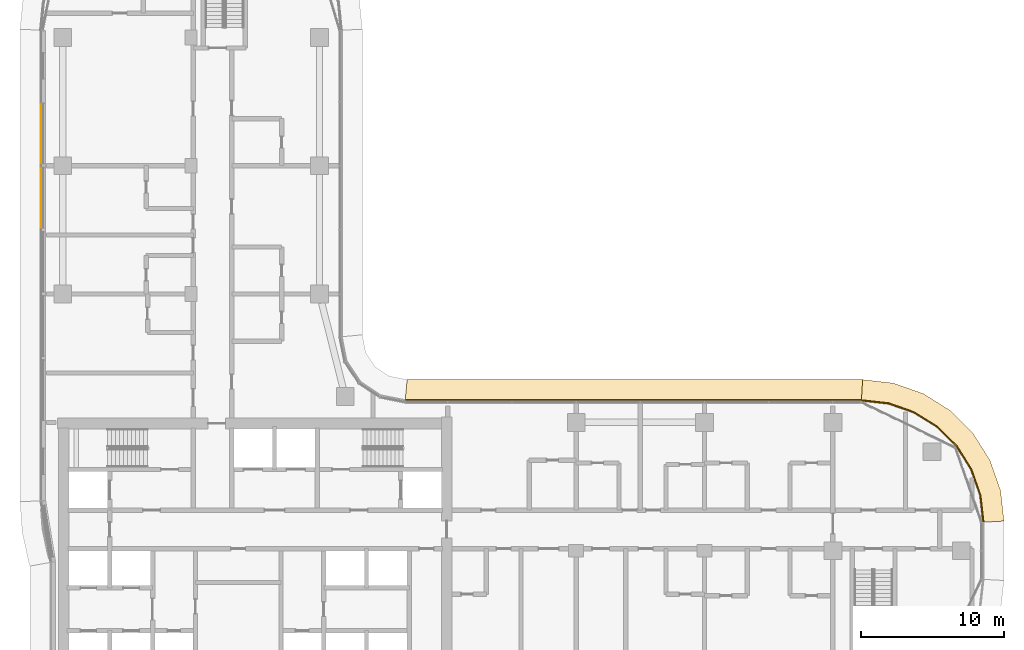
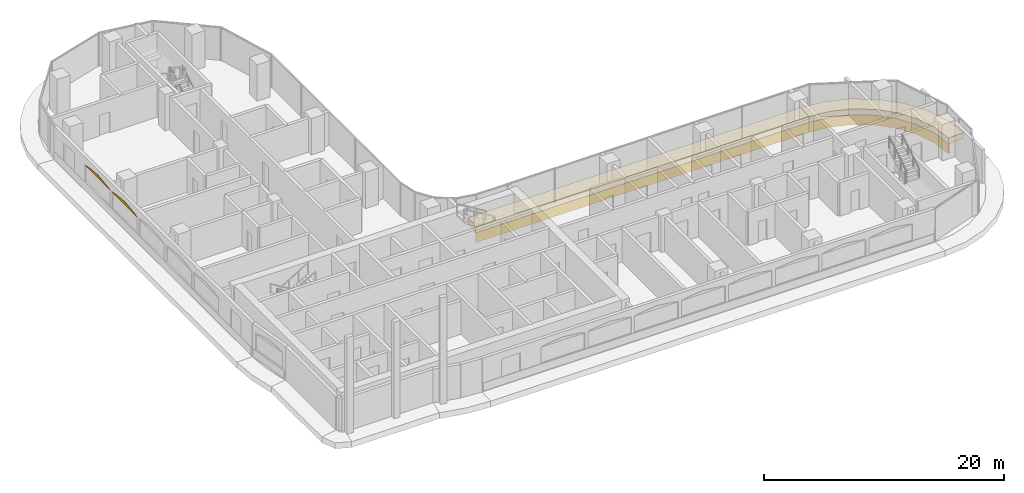
# One storey, part 23 of 25: 6 coverings.
"""IFC4 building model written with IfcOpenShell, lengths in metres."""

import ifcopenshell
import ifcopenshell.guid

model = None  # the IFC model being written
_history = None  # IfcOwnerHistory: only IFC2X3 demands one
_inside = {}  # id of a spatial element -> (the spatial element, [elements in it])
_under = {}  # id of a project, library or spatial element -> (it, [spatial elements below it])
_declared = {}  # id of a project -> (the project, [libraries it declares])
_typed = {}  # id of a type object -> (the type object, [elements of that type])
_made_of = {}  # id of a material, layer set ... -> (it, [elements and type objects made of it])


def new_model(schema):
    """Start an empty IFC model of exactly this schema.

    Asked for "IFC4X3", IfcOpenShell would pick the latest addendum, in which some entities
    have other attributes; the version numbers below select the first issue.
    IFC2X3 requires an IfcOwnerHistory on every rooted entity: one is made here for all.
    """
    global model, _history
    if schema == "IFC4X3":
        model = ifcopenshell.file(schema_version=(4, 3, 0, 0))
    else:
        model = ifcopenshell.file(schema=schema)
    _inside.clear()
    _under.clear()
    _declared.clear()
    _typed.clear()
    _made_of.clear()
    _history = None
    if model.schema == "IFC2X3":
        org = make("IfcOrganization", Name="unknown")
        user = make(
            "IfcPersonAndOrganization",
            ThePerson=make("IfcPerson", FamilyName="unknown"),
            TheOrganization=org,
        )
        app = make(
            "IfcApplication",
            ApplicationDeveloper=org,
            Version="unknown",
            ApplicationFullName="unknown",
            ApplicationIdentifier="unknown",
        )
        _history = make(
            "IfcOwnerHistory",
            OwningUser=user,
            OwningApplication=app,
            ChangeAction="ADDED",
            CreationDate=0,
        )
    return model


def make(cls, **values):
    """One entity of the class cls with the attributes given. An attribute that is None is left unset."""
    return model.create_entity(
        cls, **{name: value for name, value in values.items() if value is not None}
    )


def rooted(cls, **values):
    """An entity with a GlobalId (a new one), such as an element, a storey or a relation."""
    return make(cls, GlobalId=ifcopenshell.guid.new(), OwnerHistory=_history, **values)


def si_unit(unit_type, name, prefix=None):
    """IfcSIUnit, for example si_unit("LENGTHUNIT", "METRE", prefix="MILLI")."""
    return make("IfcSIUnit", UnitType=unit_type, Prefix=prefix, Name=name)


def assignment(units):
    """IfcUnitAssignment: the units of a project."""
    return None if units is None else make("IfcUnitAssignment", Units=units)


def point(xyz):
    """IfcCartesianPoint."""
    return None if xyz is None else make("IfcCartesianPoint", Coordinates=xyz)


def direction(xyz):
    """IfcDirection."""
    return None if xyz is None else make("IfcDirection", DirectionRatios=xyz)


def frame(location, z_axis=None, x_axis=None):
    """IfcAxis2Placement3D, a coordinate frame: its origin and axes. An axis left out is left unset."""
    return make(
        "IfcAxis2Placement3D",
        Location=point(location),
        Axis=direction(z_axis),
        RefDirection=direction(x_axis),
    )


def origin():
    """The frame at (0, 0, 0) with its axes left unset."""
    return frame((0.0, 0.0, 0.0))


def place(relative_to, where):
    """IfcLocalPlacement: puts the frame where relative to a parent placement (None: the world)."""
    return make(
        "IfcLocalPlacement", PlacementRelTo=relative_to, RelativePlacement=where
    )


def context(
    kind, dimensions, precision=None, world=None, true_north=None, identifier=None
):
    """IfcGeometricRepresentationContext, for example the 3D "Model" context."""
    return make(
        "IfcGeometricRepresentationContext",
        ContextIdentifier=identifier,
        ContextType=kind,
        CoordinateSpaceDimension=dimensions,
        Precision=precision,
        WorldCoordinateSystem=world,
        TrueNorth=true_north,
    )


def subcontext(parent, identifier, kind, view, scale=None):
    """IfcGeometricRepresentationSubContext, for example "Body" below "Model"."""
    return make(
        "IfcGeometricRepresentationSubContext",
        ContextIdentifier=identifier,
        ContextType=kind,
        ParentContext=parent,
        TargetScale=scale,
        TargetView=view,
    )


def project(units=None, contexts=None):
    """IfcProject with its units and contexts."""
    return rooted(
        "IfcProject",
        Name="project",
        RepresentationContexts=contexts,
        UnitsInContext=assignment(units),
    )


def spatial(cls, under=None, at=None, **own):
    """A site, building, storey or space (cls), placed at a placement, below another one or the project."""
    s = rooted(cls, ObjectPlacement=at, **own)
    if under is not None:
        _under.setdefault(under.id(), (under, []))[1].append(s)
    return s


def polyline(points):
    """IfcPolyline through the points."""
    return make("IfcPolyline", Points=[point(p) for p in points])


def outline(outer, holes=None, kind="AREA"):
    """IfcArbitraryClosedProfileDef: a profile drawn as a closed curve; with holes, ...WithVoids."""
    if holes is None:
        return make("IfcArbitraryClosedProfileDef", ProfileType=kind, OuterCurve=outer)
    return make(
        "IfcArbitraryProfileDefWithVoids",
        ProfileType=kind,
        OuterCurve=outer,
        InnerCurves=holes,
    )


def extrude(swept, where, along, depth):
    """IfcExtrudedAreaSolid: the profile swept, set in the frame where, extruded along a direction by depth."""
    return make(
        "IfcExtrudedAreaSolid",
        SweptArea=swept,
        Position=where,
        ExtrudedDirection=direction(along),
        Depth=depth,
    )


def shape(context_of_items, identifier, shape_type, items):
    """IfcShapeRepresentation: the items that make up one representation, for example the "Body"."""
    return make(
        "IfcShapeRepresentation",
        ContextOfItems=context_of_items,
        RepresentationIdentifier=identifier,
        RepresentationType=shape_type,
        Items=items,
    )


def material(Name=None, Category=None):
    """IfcMaterial."""
    return make("IfcMaterial", Name=Name, Category=Category)


def layer(
    of_material, thickness, ventilated=None, Name=None, Category=None, Priority=None
):
    """IfcMaterialLayer: one layer of a wall or slab, of a material (None: an air gap)."""
    return make(
        "IfcMaterialLayer",
        Material=of_material,
        LayerThickness=thickness,
        IsVentilated=ventilated,
        Name=Name,
        Category=Category,
        Priority=Priority,
    )


def layer_set(layers, Name=None):
    """IfcMaterialLayerSet."""
    return make("IfcMaterialLayerSet", MaterialLayers=layers, LayerSetName=Name)


def made_of(thing, what):
    """Note that an element or type object is made of a material, layer set ...; save() writes the relation."""
    if what is not None:
        _made_of.setdefault(what.id(), (what, []))[1].append(thing)
    return thing


def type_object(cls, material=None, **own):
    """A type object (cls), such as IfcWallType, which elements share."""
    return made_of(rooted(cls, **own), material)


def element(
    cls,
    number,
    at=None,
    inside=None,
    cuts=None,
    type_object=None,
    material=None,
    context=None,
    identifier="Body",
    shape_type=None,
    held_by="IfcProductDefinitionShape",
    body=None,
    shapes=None,
    **own,
):
    """One element of the class cls, such as IfcWall. Its Tag is "e" and its number.

    at: its placement. inside: the storey or other place that contains it. cuts: it is an
    opening in that element (IfcRelVoidsElement). A single representation is given by context,
    identifier, shape_type and body (its items); several are given by shapes. held_by: the class
    of the entity that holds the representations. save() writes the other relations.
    """
    e = rooted(cls, Tag="e%d" % number, ObjectPlacement=at, **own)
    if body is not None:
        shapes = [shape(context, identifier, shape_type, body)]
    if shapes is not None:
        e.Representation = make(held_by, Representations=shapes)
    if inside is not None:
        _inside.setdefault(inside.id(), (inside, []))[1].append(e)
    if cuts is not None:
        rooted(
            "IfcRelVoidsElement", RelatingBuildingElement=cuts, RelatedOpeningElement=e
        )
    if type_object is not None:
        _typed.setdefault(type_object.id(), (type_object, []))[1].append(e)
    return made_of(e, material)


def aggregate(whole, parts):
    """IfcRelAggregates: a whole, such as a stair, and the parts it consists of."""
    return rooted("IfcRelAggregates", RelatingObject=whole, RelatedObjects=parts)


def save(model, path):
    """Write the relations noted so far, then the file.

    IfcRelAggregates (storeys below a building ...), IfcRelContainedInSpatialStructure (elements
    in a storey), IfcRelDefinesByType, IfcRelAssociatesMaterial and IfcRelDeclares: one each for
    every whole, place, type object, material and project.
    """
    for whole, parts in _under.values():
        aggregate(whole, parts)
    for where, things in _inside.values():
        rooted(
            "IfcRelContainedInSpatialStructure",
            RelatedElements=things,
            RelatingStructure=where,
        )
    for kind, things in _typed.values():
        rooted("IfcRelDefinesByType", RelatedObjects=things, RelatingType=kind)
    for what, things in _made_of.values():
        rooted("IfcRelAssociatesMaterial", RelatedObjects=things, RelatingMaterial=what)
    for by, libraries in _declared.values():
        rooted("IfcRelDeclares", RelatingContext=by, RelatedDefinitions=libraries)
    model.write(path)


model = new_model("IFC4")

# Units and contexts
model_context = context("Model", 3, precision=1e-05, world=origin(), true_north=direction((0.0, 1.0)))
body_context = subcontext(model_context, "Body", "Model", "MODEL_VIEW")
ifc_project = project(units=[si_unit("LENGTHUNIT", "METRE"), si_unit("AREAUNIT", "SQUARE_METRE"), si_unit("VOLUMEUNIT", "CUBIC_METRE"), si_unit("PLANEANGLEUNIT", "RADIAN"), si_unit("MASSUNIT", "GRAM", prefix="KILO")], contexts=[model_context])

# Site, building, storey
site_placement = place(None, origin())
site = spatial("IfcSite", under=ifc_project, at=site_placement, CompositionType="ELEMENT")
building_placement = place(site_placement, origin())
building = spatial("IfcBuilding", under=site, at=building_placement, Name="Ogive Portal Towers", CompositionType="ELEMENT")
storey_placement = place(building_placement, frame((0.0, 0.0, 105.60009765625)))
storey = spatial("IfcBuildingStorey", under=building, at=storey_placement, Name="L25", CompositionType="ELEMENT", Elevation=105.60009765625)

# Coverings
ifc_material = material(Name="Limestone cladding on lightweight block wall", Category="masonry")
ifc_layer_1 = layer(ifc_material, 0.0400390625)
ifc_layer_set_1 = layer_set([ifc_layer_1], Name="LANCET HEAD STONE")
covering_type_1 = type_object("IfcCoveringType", Name="LANCET HEAD STONE", PredefinedType="CLADDING", material=ifc_layer_set_1)
for number, where, z_axis, x_axis, name in (
    (1, (30.0, 61.85009765625, 2.599853515625), (0.999948962386, 0.0, 0.010103099685), (0.0, -1.0, 0.0), "Lancet head"),
    (2, (30.0, 57.35009765625, 2.599853515625), (0.999948962386, 0.0, 0.010103099685), (0.0, -1.0, 0.0), "Lancet head"),
):
    element("IfcCovering", number, at=place(storey_placement, frame(where, z_axis=z_axis, x_axis=x_axis)), inside=storey, type_object=covering_type_1, Name=name, PredefinedType="CLADDING", context=body_context, shape_type="SweptSolid", body=[
        extrude(outline(polyline([(0.0, 0.0), (4.2001953125, 0.0), (4.107177734375, -0.03760067050947447), (3.9375, -0.07495474627723249), (3.7177734375, -0.11255541678670695), (3.45751953125, -0.15015362071910998), (3.162353515625, -0.18751016306393944), (2.836181640625, -0.22510836699634246), (2.481201171875, -0.2624649093411719), (2.10009765625, -0.30006311327357493), (1.718994140625, -0.2624649093411719), (1.364013671875, -0.22510836699634246), (1.037841796875, -0.18751016306393944), (0.74267578125, -0.15015362071910998), (0.482421875, -0.11255541678670695), (0.2626953125, -0.07495474627723249), (0.093017578125, -0.03760067050947447), (0.0, 0.0)])), origin(), (0.0, 0.0, -1.0), 0.0400390625),
    ])
ifc_layer_2 = layer(ifc_material, 0.080078125)
ifc_layer_set_2 = layer_set([ifc_layer_2], Name="STONE SPANDREL 80")
covering_type_2 = type_object("IfcCoveringType", Name="STONE SPANDREL 80", PredefinedType="CLADDING", material=ifc_layer_set_2)
covering_1_placement = place(storey_placement, frame((0.0, 0.0, -1.60009765625)))
element("IfcCovering", 3, at=covering_1_placement, inside=storey, type_object=covering_type_2, Name="Stone spandrel A1-F08", PredefinedType="CLADDING", context=body_context, shape_type="SweptSolid", body=[
    extrude(outline(polyline([(96.0, 32.5), (95.786865234375, 34.391357421875), (95.158203125, 36.18798828125), (94.1455078125, 37.799560546875), (92.799560546875, 39.1455078125), (91.18798828125, 40.158203125), (89.391357421875, 40.786865234375), (87.5, 41.0), (87.50439453125, 41.080078125), (89.409423828125, 40.865478515625), (91.222900390625, 40.230712890625), (92.849853515625, 39.20849609375), (94.20849609375, 37.849853515625), (95.230712890625, 36.222900390625), (95.865478515625, 34.409423828125), (96.080078125, 32.50439453125), (96.0, 32.5)])), origin(), (0.0, 0.0, 1.0), 1.0),
])
covering_2_placement = place(storey_placement, frame((0.0, 0.0, -1.60009765625)))
element("IfcCovering", 4, at=covering_2_placement, inside=storey, type_object=covering_type_2, Name="Stone spandrel A1-F09", PredefinedType="CLADDING", context=body_context, shape_type="SweptSolid", body=[
    extrude(outline(polyline([(87.5, 41.0), (55.5, 41.0), (55.5078125, 41.080078125), (87.50439453125, 41.080078125), (87.5, 41.0)])), origin(), (0.0, 0.0, 1.0), 1.0),
])
ifc_layer_3 = layer(ifc_material, 0.60009765625)
ifc_layer_set_3 = layer_set([ifc_layer_3], Name="SUNSHADE LIP 600")
covering_type_3 = type_object("IfcCoveringType", Name="SUNSHADE LIP 600", PredefinedType="CLADDING", material=ifc_layer_set_3)
covering_3_placement = place(storey_placement, frame((0.0, 0.0, -0.60009765625)))
element("IfcCovering", 5, at=covering_3_placement, inside=storey, type_object=covering_type_3, Name="Sunshade lip A1-F08", PredefinedType="CLADDING", context=body_context, shape_type="SweptSolid", body=[
    extrude(outline(polyline([(96.0, 32.5), (95.786865234375, 34.391357421875), (95.158203125, 36.18798828125), (94.1455078125, 37.799560546875), (92.799560546875, 39.1455078125), (91.18798828125, 40.158203125), (89.391357421875, 40.786865234375), (87.5, 41.0), (87.584228515625, 42.5), (89.727294921875, 42.258544921875), (91.843017578125, 41.518310546875), (93.74072265625, 40.32568359375), (95.32568359375, 38.74072265625), (96.518310546875, 36.843017578125), (97.258544921875, 34.727294921875), (97.5, 32.584228515625), (96.0, 32.5)])), origin(), (0.0, 0.0, 1.0), 0.60009765625),
])
covering_4_placement = place(storey_placement, frame((0.0, 0.0, -0.60009765625)))
element("IfcCovering", 6, at=covering_4_placement, inside=storey, type_object=covering_type_3, Name="Sunshade lip A1-F09", PredefinedType="CLADDING", context=body_context, shape_type="SweptSolid", body=[
    extrude(outline(polyline([(87.5, 41.0), (55.5, 41.0), (55.647705078125, 42.5), (87.584228515625, 42.5), (87.5, 41.0)])), origin(), (0.0, 0.0, 1.0), 0.60009765625),
])

save(model, "model.ifc")
